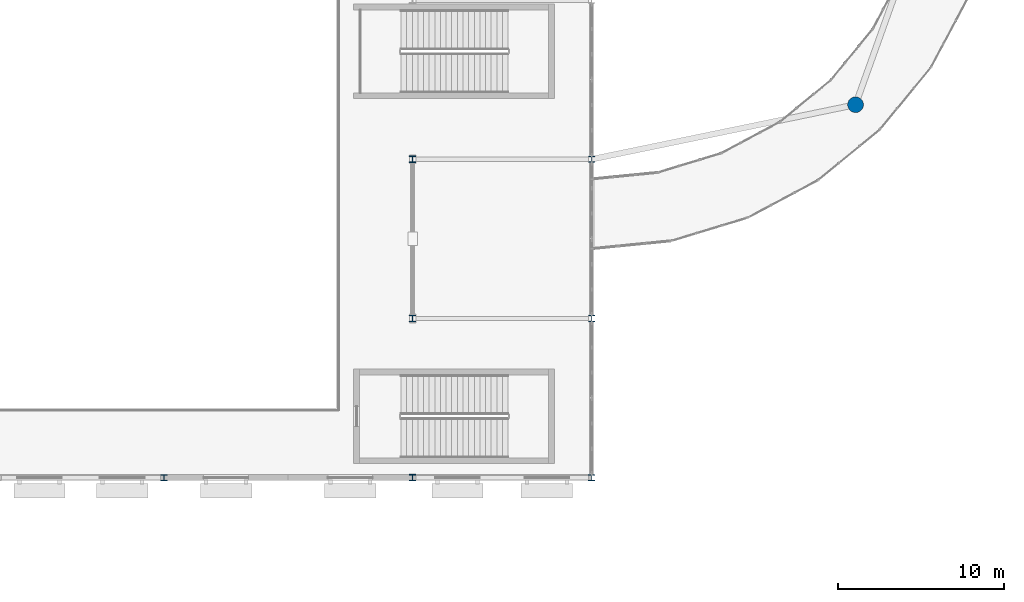
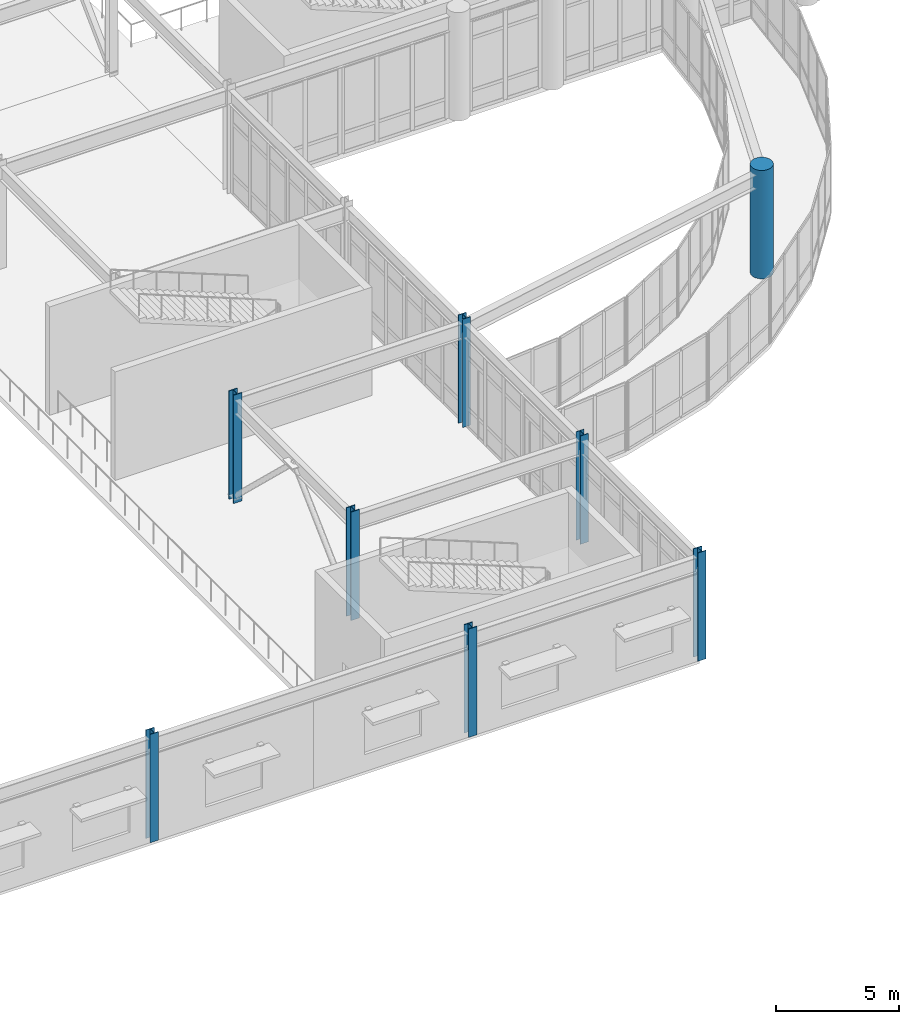
# One storey, part 3 of 72: 8 columns.
"""IFC4 building model written with IfcOpenShell, lengths in metres."""

from ifc_helpers import new_model, si_unit, direction, frame, origin, origin_2d, place, context, subcontext, project, spatial, circle, i_section, extrude, material, material_profile, profile_set, type_object, element, save


model = new_model("IFC4")

# Units and contexts
model_context = context("Model", 3, precision=1e-05, world=origin(), true_north=direction((0.0, 1.0)))
body_context = subcontext(model_context, "Body", "Model", "MODEL_VIEW")
ifc_project = project(units=[si_unit("LENGTHUNIT", "METRE"), si_unit("AREAUNIT", "SQUARE_METRE"), si_unit("VOLUMEUNIT", "CUBIC_METRE"), si_unit("PLANEANGLEUNIT", "RADIAN"), si_unit("MASSUNIT", "GRAM", prefix="KILO")], contexts=[model_context])

# Site, building, storey
site_placement = place(None, origin())
site = spatial("IfcSite", under=ifc_project, at=site_placement, CompositionType="ELEMENT")
building_placement = place(site_placement, origin())
building = spatial("IfcBuilding", under=site, at=building_placement, Name="Veldera Park Congress Hotel", CompositionType="ELEMENT")
storey_placement = place(building_placement, frame((0.0, 0.0, 5.39990234375)))
storey = spatial("IfcBuildingStorey", under=building, at=storey_placement, Name="L01", CompositionType="ELEMENT", Elevation=5.39990234375)

# Columns
ifc_material_1 = material(Name="Concrete f'c 50 MPa (7,250 psi)", Category="concrete")
ifc_material_profile_1 = material_profile(ifc_material_1, circle(Radius=0.47509765625, at=origin_2d()), Name="RC D950")
ifc_profile_set_1 = profile_set([ifc_material_profile_1], Name="Concrete f'c 50 MPa (7,250 psi)")
column_type_1 = type_object("IfcColumnType", Name="COL-RCD90E", PredefinedType="COLUMN", material=ifc_profile_set_1)
column_1_placement = place(storey_placement, frame((14.309814453125, 1.489990234375, 0.0), z_axis=(0.0, 0.0, 1.0), x_axis=(1.0, 0.0, 0.0)))
element("IfcColumn", 1, at=column_1_placement, inside=storey, type_object=column_type_1, Name="L01 Column COL-RCD90E (14.3,1.5)", PredefinedType="COLUMN", context=body_context, shape_type="SweptSolid", body=[
    extrude(circle(Radius=0.47509765625, at=origin_2d()), origin(), (0.0, 0.0, 1.0), 5.400146484375),
])
ifc_material_2 = material(Name="Steel ASTM A992 Gr.50", Category="steel")
ifc_material_profile_2 = material_profile(ifc_material_2, i_section(OverallWidth=0.3740234375, OverallDepth=0.3720703125, WebThickness=0.016357421875, FlangeThickness=0.026123046875, at=origin_2d()), Name="W14X132")
ifc_profile_set_2 = profile_set([ifc_material_profile_2], Name="Steel ASTM A992 Gr.50")
column_type_2 = type_object("IfcColumnType", Name="COL-STL132", PredefinedType="COLUMN", material=ifc_profile_set_2)
for number, where, z_axis, x_axis, name in (
    (2, (-1.60009765625, -11.39990234375, 0.0), (0.0, 0.0, 1.0), (1.0, 0.0, 0.0), "L01 Column COL-STL132 (-1.6,-11.4)"),
    (3, (-1.60009765625, -1.800048828125, 0.0), (0.0, 0.0, 1.0), (1.0, 0.0, 0.0), "L01 Column COL-STL132 (-1.6,-1.8)"),
):
    element("IfcColumn", number, at=place(storey_placement, frame(where, z_axis=z_axis, x_axis=x_axis)), inside=storey, type_object=column_type_2, Name=name, PredefinedType="COLUMN", context=body_context, shape_type="SweptSolid", body=[
        extrude(i_section(OverallWidth=0.3740234375, OverallDepth=0.3720703125, WebThickness=0.016357421875, FlangeThickness=0.026123046875, at=origin_2d()), origin(), (0.0, 0.0, 1.0), 5.400146484375),
    ])
ifc_material_profile_3 = material_profile(ifc_material_2, i_section(OverallWidth=0.39404296875, OverallDepth=0.375, WebThickness=0.017333984375, FlangeThickness=0.027587890625, at=origin_2d()), Name="W14X145")
ifc_profile_set_3 = profile_set([ifc_material_profile_3], Name="Steel ASTM A992 Gr.50")
column_type_3 = type_object("IfcColumnType", Name="COL-STL132E", PredefinedType="COLUMN", material=ifc_profile_set_3)
column_2_placement = place(storey_placement, frame((-1.60009765625, -21.0, 0.0), z_axis=(0.0, 0.0, 1.0), x_axis=(1.0, 0.0, 0.0)))
element("IfcColumn", 4, at=column_2_placement, inside=storey, type_object=column_type_3, Name="L01 Column COL-STL132E (-1.6,-21.0)", PredefinedType="COLUMN", context=body_context, shape_type="SweptSolid", body=[
    extrude(i_section(OverallWidth=0.39404296875, OverallDepth=0.375, WebThickness=0.017333984375, FlangeThickness=0.027587890625, at=origin_2d()), origin(), (0.0, 0.0, 1.0), 5.400146484375),
])
ifc_material_profile_4 = material_profile(ifc_material_2, i_section(OverallWidth=0.39599609375, OverallDepth=0.381103515625, WebThickness=0.018798828125, FlangeThickness=0.0302734375, at=origin_2d()), Name="W14X159")
ifc_profile_set_4 = profile_set([ifc_material_profile_4], Name="Steel ASTM A992 Gr.50")
column_type_4 = type_object("IfcColumnType", Name="COL-STL159E", PredefinedType="COLUMN", material=ifc_profile_set_4)
column_3_placement = place(storey_placement, frame((-27.39990234375, -21.0, 0.0), z_axis=(0.0, 0.0, 1.0), x_axis=(1.0, 0.0, 0.0)))
element("IfcColumn", 5, at=column_3_placement, inside=storey, type_object=column_type_4, Name="L01 Column COL-STL159E (-27.4,-21.0)", PredefinedType="COLUMN", context=body_context, shape_type="SweptSolid", body=[
    extrude(i_section(OverallWidth=0.39599609375, OverallDepth=0.381103515625, WebThickness=0.018798828125, FlangeThickness=0.0302734375, at=origin_2d()), origin(), (0.0, 0.0, 1.0), 5.400146484375),
])
ifc_material_profile_5 = material_profile(ifc_material_2, i_section(OverallWidth=0.40087890625, OverallDepth=0.39892578125, WebThickness=0.02490234375, FlangeThickness=0.03955078125, at=origin_2d()), Name="W14X211")
ifc_profile_set_5 = profile_set([ifc_material_profile_5], Name="Steel ASTM A992 Gr.50")
column_type_5 = type_object("IfcColumnType", Name="COL-STL211", PredefinedType="COLUMN", material=ifc_profile_set_5)
for number, where, z_axis, x_axis, name in (
    (6, (-12.39990234375, -11.39990234375, 0.0), (0.0, 0.0, 1.0), (1.0, 0.0, 0.0), "L01 Column COL-STL211 (-12.4,-11.4)"),
    (7, (-12.39990234375, -1.800048828125, 0.0), (0.0, 0.0, 1.0), (1.0, 0.0, 0.0), "L01 Column COL-STL211 (-12.4,-1.8)"),
):
    element("IfcColumn", number, at=place(storey_placement, frame(where, z_axis=z_axis, x_axis=x_axis)), inside=storey, type_object=column_type_5, Name=name, PredefinedType="COLUMN", context=body_context, shape_type="SweptSolid", body=[
        extrude(i_section(OverallWidth=0.40087890625, OverallDepth=0.39892578125, WebThickness=0.02490234375, FlangeThickness=0.03955078125, at=origin_2d()), origin(), (0.0, 0.0, 1.0), 5.400146484375),
    ])
ifc_material_profile_6 = material_profile(ifc_material_2, i_section(OverallWidth=0.40087890625, OverallDepth=0.39892578125, WebThickness=0.02490234375, FlangeThickness=0.03955078125, at=origin_2d()), Name="W14X211")
ifc_profile_set_6 = profile_set([ifc_material_profile_6], Name="Steel ASTM A992 Gr.50")
column_type_6 = type_object("IfcColumnType", Name="COL-STL211E", PredefinedType="COLUMN", material=ifc_profile_set_6)
column_4_placement = place(storey_placement, frame((-12.39990234375, -21.0, 0.0), z_axis=(0.0, 0.0, 1.0), x_axis=(1.0, 0.0, 0.0)))
element("IfcColumn", 8, at=column_4_placement, inside=storey, type_object=column_type_6, Name="L01 Column COL-STL211E (-12.4,-21.0)", PredefinedType="COLUMN", context=body_context, shape_type="SweptSolid", body=[
    extrude(i_section(OverallWidth=0.40087890625, OverallDepth=0.39892578125, WebThickness=0.02490234375, FlangeThickness=0.03955078125, at=origin_2d()), origin(), (0.0, 0.0, 1.0), 5.400146484375),
])

save(model, "model.ifc")
